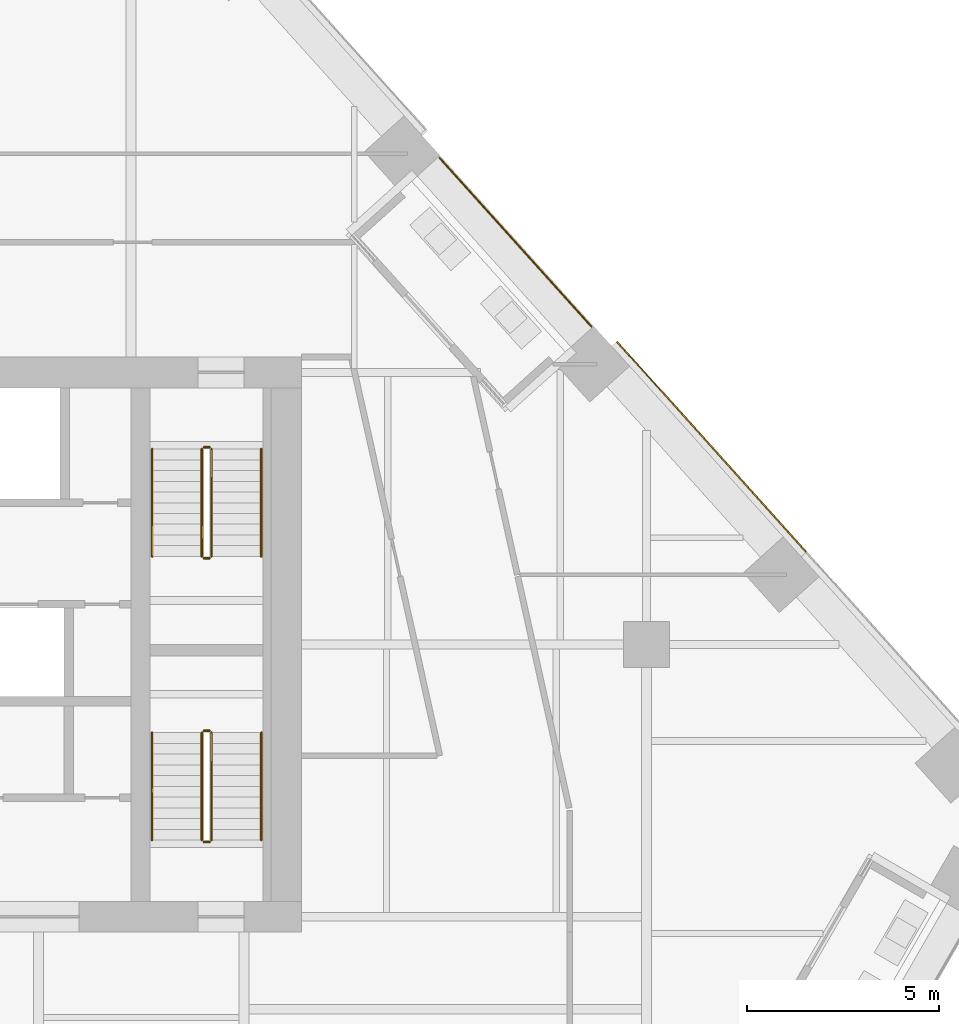
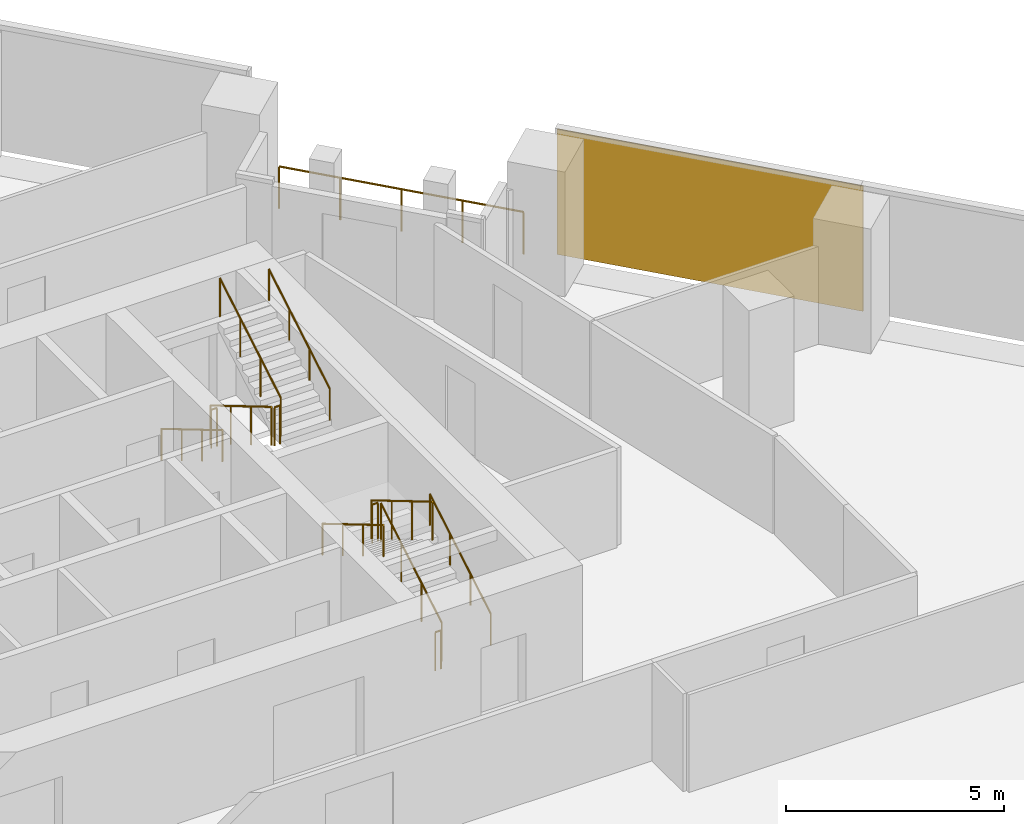
# One storey, part 25 of 26: 13 railings, 1 covering, 1 element without a shape of its own.
"""IFC4 building model written with IfcOpenShell, lengths in metres."""

from ifc_helpers import new_model, si_unit, direction, frame, origin, origin_2d, place, context, subcontext, project, spatial, rectangle, circle, extrude, material, layer, layer_set, type_object, element, aggregate, save


model = new_model("IFC4")

# Units and contexts
model_context = context("Model", 3, precision=1e-05, world=origin(), true_north=direction((0.0, 1.0)))
body_context = subcontext(model_context, "Body", "Model", "MODEL_VIEW")
ifc_project = project(units=[si_unit("LENGTHUNIT", "METRE"), si_unit("AREAUNIT", "SQUARE_METRE"), si_unit("VOLUMEUNIT", "CUBIC_METRE"), si_unit("PLANEANGLEUNIT", "RADIAN"), si_unit("MASSUNIT", "GRAM", prefix="KILO")], contexts=[model_context])

# Site, building, storey
site_placement = place(None, origin())
site = spatial("IfcSite", under=ifc_project, at=site_placement, CompositionType="ELEMENT")
building_placement = place(site_placement, origin())
building = spatial("IfcBuilding", under=site, at=building_placement, Name="Isthmus Gate Tower", CompositionType="ELEMENT")
storey_placement = place(building_placement, frame((0.0, 0.0, 144.39990234375)))
storey = spatial("IfcBuildingStorey", under=building, at=storey_placement, Name="L35", CompositionType="ELEMENT", Elevation=144.39990234375)

# Curtain wall, covering
ifc_material_1 = material(Name="Aluminium, pale champagne anodised", Category="aluminium")
ifc_layer_1 = layer(ifc_material_1, 0.199951171875)
ifc_layer_set_1 = layer_set([ifc_layer_1], Name="CW-1 UNITISED CURTAIN WALL 200 DEEP")
curtain_wall_type = type_object("IfcCurtainWallType", Name="CW-1 UNITISED CURTAIN WALL 200 DEEP", PredefinedType="NOTDEFINED", material=ifc_layer_set_1)
curtain_wall_placement = place(storey_placement, origin())
curtain_wall = element("IfcCurtainWall", 1, at=curtain_wall_placement, inside=storey, type_object=curtain_wall_type, Name="CW-1 NE L35", PredefinedType="NOTDEFINED")
ifc_material_2 = material(Name="Aluminium composite panel, pale champagne anodised", Category="aluminium")
ifc_layer_2 = layer(ifc_material_2, 0.035888671875)
ifc_layer_set_2 = layer_set([ifc_layer_2], Name="CW-1 PALE METAL PANEL 36")
covering_type = type_object("IfcCoveringType", Name="CW-1 PALE METAL PANEL 36", PredefinedType="CLADDING", material=ifc_layer_set_2)
covering_placement = place(storey_placement, frame((25.70068359375, 12.659423828125, 0.0), z_axis=(0.0, 0.0, 1.0), x_axis=(-0.669130606359, 0.743144825477, 0.0)))
covering = element("IfcCovering", 2, at=covering_placement, type_object=covering_type, Name="CW-1 pale metal panel", PredefinedType="CLADDING", context=body_context, shape_type="SweptSolid", body=[
    extrude(rectangle(XDim=7.390869140625, YDim=0.035888671875, at=origin_2d()), origin(), (0.0, 0.0, 1.0), 3.510009765625),
])
aggregate(curtain_wall, [covering])

# Railings
ifc_material_3 = material(Name="Toughened laminated glass with stainless steel posts", Category="steel")
railing_type_1 = type_object("IfcRailingType", Name="GUARD 1200 FRAMELESS GLASS", PredefinedType="GUARDRAIL", material=ifc_material_3)
railing_1_placement = place(storey_placement, frame((22.560302734375, 15.800537109375, 0.0)))
element("IfcRailing", 3, at=railing_1_placement, inside=storey, type_object=railing_type_1, Name="LOGGIA GUARD", PredefinedType="GUARDRAIL", context=body_context, shape_type="SweptSolid", body=[
    extrude(circle(Radius=0.02490234375, at=origin_2d()), frame((0.0, 0.0, 1.1748046875), z_axis=(-0.669129019519, 0.743146254271, 0.0), x_axis=(-0.743146254271, -0.669129019519, 0.0)), (0.0, 0.0, 1.0), 5.910888671875),
    extrude(circle(Radius=0.02490234375, at=origin_2d()), origin(), (0.0, 0.0, 1.0), 1.14990234375),
    extrude(circle(Radius=0.02490234375, at=origin_2d()), frame((-0.98876953125, 1.09814453125, 0.0)), (0.0, 0.0, 1.0), 1.14990234375),
    extrude(circle(Radius=0.02490234375, at=origin_2d()), frame((-1.9775390625, 2.1962890625, 0.0)), (0.0, 0.0, 1.0), 1.14990234375),
    extrude(circle(Radius=0.02490234375, at=origin_2d()), frame((-2.96630859375, 3.29443359375, 0.0)), (0.0, 0.0, 1.0), 1.14990234375),
    extrude(circle(Radius=0.02490234375, at=origin_2d()), frame((-3.955078125, 4.392578125, 0.0)), (0.0, 0.0, 1.0), 1.14990234375),
])
ifc_material_4 = material(Name="Stainless steel balustrade", Category="steel")
railing_type_2 = type_object("IfcRailingType", Name="STAIR GUARD 1100", PredefinedType="GUARDRAIL", material=ifc_material_4)
railing_2_placement = place(storey_placement, frame((12.39990234375, 12.60009765625, 0.166015625)))
element("IfcRailing", 4, at=railing_2_placement, inside=storey, type_object=railing_type_2, Name="L35 ST2 stair guard 1", PredefinedType="GUARDRAIL", context=body_context, shape_type="SweptSolid", body=[
    extrude(circle(Radius=0.02392578125, at=origin_2d()), frame((0.0, 0.0, 1.076171875), z_axis=(0.0, -0.860306154799, 0.50977771628), x_axis=(1.0, 0.0, 0.0)), (0.0, 0.0, 1.0), 3.254638671875),
    extrude(circle(Radius=0.02099609375, at=origin_2d()), origin(), (0.0, 0.0, 1.0), 1.052001953125),
    extrude(circle(Radius=0.02099609375, at=origin_2d()), frame((0.0, -0.933349609375, 0.552978515625)), (0.0, 0.0, 1.0), 1.052001953125),
    extrude(circle(Radius=0.02099609375, at=origin_2d()), frame((0.0, -1.86669921875, 1.106201171875)), (0.0, 0.0, 1.0), 1.052001953125),
    extrude(circle(Radius=0.02099609375, at=origin_2d()), frame((0.0, -2.800048828125, 1.6591796875)), (0.0, 0.0, 1.0), 1.052001953125),
])
railing_3_placement = place(storey_placement, frame((12.449951171875, 9.75, 1.8251953125)))
element("IfcRailing", 5, at=railing_3_placement, inside=storey, type_object=railing_type_2, Name="L35 ST2 stair guard 2", PredefinedType="GUARDRAIL", context=body_context, shape_type="SweptSolid", body=[
    extrude(circle(Radius=0.02392578125, at=origin_2d()), frame((0.0, 0.0, 1.076171875), z_axis=(1.0, 0.0, 0.0), x_axis=(0.0, 1.0, 0.0)), (0.0, 0.0, 1.0), 0.150146484375),
    extrude(circle(Radius=0.02099609375, at=origin_2d()), origin(), (0.0, 0.0, 1.0), 1.052001953125),
    extrude(circle(Radius=0.02099609375, at=origin_2d()), frame((0.150146484375, 0.0, 0.0)), (0.0, 0.0, 1.0), 1.052001953125),
])
railing_4_placement = place(storey_placement, frame((12.64990234375, 9.800048828125, 1.990966796875)))
element("IfcRailing", 6, at=railing_4_placement, inside=storey, type_object=railing_type_2, Name="L35 ST2 stair guard 3", PredefinedType="GUARDRAIL", context=body_context, shape_type="SweptSolid", body=[
    extrude(circle(Radius=0.02392578125, at=origin_2d()), frame((0.0, 0.0, 1.076171875), z_axis=(0.0, 0.860306154799, 0.50977771628), x_axis=(-1.0, 0.0, 0.0)), (0.0, 0.0, 1.0), 3.254638671875),
    extrude(circle(Radius=0.02099609375, at=origin_2d()), origin(), (0.0, 0.0, 1.0), 1.052001953125),
    extrude(circle(Radius=0.02099609375, at=origin_2d()), frame((0.0, 0.933349609375, 0.552978515625)), (0.0, 0.0, 1.0), 1.052001953125),
    extrude(circle(Radius=0.02099609375, at=origin_2d()), frame((0.0, 1.86669921875, 1.106201171875)), (0.0, 0.0, 1.0), 1.052001953125),
    extrude(circle(Radius=0.02099609375, at=origin_2d()), frame((0.0, 2.800048828125, 1.6591796875)), (0.0, 0.0, 1.0), 1.052001953125),
])
railing_5_placement = place(storey_placement, frame((12.449951171875, 12.64990234375, 0.0)))
element("IfcRailing", 7, at=railing_5_placement, inside=storey, type_object=railing_type_2, Name="L35 ST2 stair guard 4", PredefinedType="GUARDRAIL", context=body_context, shape_type="SweptSolid", body=[
    extrude(circle(Radius=0.02392578125, at=origin_2d()), frame((0.0, 0.0, 1.076171875), z_axis=(1.0, 0.0, 0.0), x_axis=(0.0, 1.0, 0.0)), (0.0, 0.0, 1.0), 0.150146484375),
    extrude(circle(Radius=0.02099609375, at=origin_2d()), origin(), (0.0, 0.0, 1.0), 1.052001953125),
    extrude(circle(Radius=0.02099609375, at=origin_2d()), frame((0.150146484375, 0.0, 0.0)), (0.0, 0.0, 1.0), 1.052001953125),
])
railing_6_placement = place(storey_placement, frame((12.64990234375, 2.39990234375, 0.166015625)))
element("IfcRailing", 8, at=railing_6_placement, inside=storey, type_object=railing_type_2, Name="L35 ST8 stair guard 1", PredefinedType="GUARDRAIL", context=body_context, shape_type="SweptSolid", body=[
    extrude(circle(Radius=0.02392578125, at=origin_2d()), frame((0.0, 0.0, 1.076171875), z_axis=(0.0, 0.860306154799, 0.50977771628), x_axis=(-1.0, 0.0, 0.0)), (0.0, 0.0, 1.0), 3.254638671875),
    extrude(circle(Radius=0.02099609375, at=origin_2d()), origin(), (0.0, 0.0, 1.0), 1.052001953125),
    extrude(circle(Radius=0.02099609375, at=origin_2d()), frame((0.0, 0.933349609375, 0.552978515625)), (0.0, 0.0, 1.0), 1.052001953125),
    extrude(circle(Radius=0.02099609375, at=origin_2d()), frame((0.0, 1.86669921875, 1.106201171875)), (0.0, 0.0, 1.0), 1.052001953125),
    extrude(circle(Radius=0.02099609375, at=origin_2d()), frame((0.0, 2.800048828125, 1.6591796875)), (0.0, 0.0, 1.0), 1.052001953125),
])
railing_7_placement = place(storey_placement, frame((12.60009765625, 5.25, 1.8251953125)))
element("IfcRailing", 9, at=railing_7_placement, inside=storey, type_object=railing_type_2, Name="L35 ST8 stair guard 2", PredefinedType="GUARDRAIL", context=body_context, shape_type="SweptSolid", body=[
    extrude(circle(Radius=0.02392578125, at=origin_2d()), frame((0.0, 0.0, 1.076171875), z_axis=(-1.0, 0.0, 0.0), x_axis=(0.0, -1.0, 0.0)), (0.0, 0.0, 1.0), 0.150146484375),
    extrude(circle(Radius=0.02099609375, at=origin_2d()), origin(), (0.0, 0.0, 1.0), 1.052001953125),
    extrude(circle(Radius=0.02099609375, at=origin_2d()), frame((-0.150146484375, 0.0, 0.0)), (0.0, 0.0, 1.0), 1.052001953125),
])
railing_8_placement = place(storey_placement, frame((12.39990234375, 5.199951171875, 1.990966796875)))
element("IfcRailing", 10, at=railing_8_placement, inside=storey, type_object=railing_type_2, Name="L35 ST8 stair guard 3", PredefinedType="GUARDRAIL", context=body_context, shape_type="SweptSolid", body=[
    extrude(circle(Radius=0.02392578125, at=origin_2d()), frame((0.0, 0.0, 1.076171875), z_axis=(0.0, -0.860306154799, 0.50977771628), x_axis=(1.0, 0.0, 0.0)), (0.0, 0.0, 1.0), 3.254638671875),
    extrude(circle(Radius=0.02099609375, at=origin_2d()), origin(), (0.0, 0.0, 1.0), 1.052001953125),
    extrude(circle(Radius=0.02099609375, at=origin_2d()), frame((0.0, -0.933349609375, 0.552978515625)), (0.0, 0.0, 1.0), 1.052001953125),
    extrude(circle(Radius=0.02099609375, at=origin_2d()), frame((0.0, -1.86669921875, 1.106201171875)), (0.0, 0.0, 1.0), 1.052001953125),
    extrude(circle(Radius=0.02099609375, at=origin_2d()), frame((0.0, -2.800048828125, 1.6591796875)), (0.0, 0.0, 1.0), 1.052001953125),
])
railing_9_placement = place(storey_placement, frame((12.60009765625, 2.35009765625, 0.0)))
element("IfcRailing", 11, at=railing_9_placement, inside=storey, type_object=railing_type_2, Name="L35 ST8 stair guard 4", PredefinedType="GUARDRAIL", context=body_context, shape_type="SweptSolid", body=[
    extrude(circle(Radius=0.02392578125, at=origin_2d()), frame((0.0, 0.0, 1.076171875), z_axis=(-1.0, 0.0, 0.0), x_axis=(0.0, -1.0, 0.0)), (0.0, 0.0, 1.0), 0.150146484375),
    extrude(circle(Radius=0.02099609375, at=origin_2d()), origin(), (0.0, 0.0, 1.0), 1.052001953125),
    extrude(circle(Radius=0.02099609375, at=origin_2d()), frame((-0.150146484375, 0.0, 0.0)), (0.0, 0.0, 1.0), 1.052001953125),
])
ifc_material_5 = material(Name="Stainless steel handrail", Category="steel")
railing_type_3 = type_object("IfcRailingType", Name="STAIR HANDRAIL 900", PredefinedType="HANDRAIL", material=ifc_material_5)
railing_10_placement = place(storey_placement, frame((11.10009765625, 12.60009765625, 0.166015625)))
element("IfcRailing", 12, at=railing_10_placement, inside=storey, type_object=railing_type_3, Name="L35 ST2 stair handrail 1", PredefinedType="HANDRAIL", context=body_context, shape_type="SweptSolid", body=[
    extrude(circle(Radius=0.02392578125, at=origin_2d()), frame((0.0, 0.0, 0.8759765625), z_axis=(0.0, -0.860306154799, 0.50977771628), x_axis=(1.0, 0.0, 0.0)), (0.0, 0.0, 1.0), 3.254638671875),
    extrude(circle(Radius=0.02099609375, at=origin_2d()), origin(), (0.0, 0.0, 1.0), 0.851806640625),
    extrude(circle(Radius=0.02099609375, at=origin_2d()), frame((0.0, -0.933349609375, 0.552978515625)), (0.0, 0.0, 1.0), 0.851806640625),
    extrude(circle(Radius=0.02099609375, at=origin_2d()), frame((0.0, -1.86669921875, 1.106201171875)), (0.0, 0.0, 1.0), 0.851806640625),
    extrude(circle(Radius=0.02099609375, at=origin_2d()), frame((0.0, -2.800048828125, 1.6591796875)), (0.0, 0.0, 1.0), 0.851806640625),
])
for number, where, name in (
    (13, (13.949951171875, 9.800048828125, 1.990966796875), "L35 ST2 stair handrail 2"),
    (14, (13.949951171875, 2.39990234375, 0.166015625), "L35 ST8 stair handrail 1"),
):
    element("IfcRailing", number, at=place(storey_placement, frame(where)), inside=storey, type_object=railing_type_3, Name=name, PredefinedType="HANDRAIL", context=body_context, shape_type="SweptSolid", body=[
        extrude(circle(Radius=0.02392578125, at=origin_2d()), frame((0.0, 0.0, 0.8759765625), z_axis=(0.0, 0.860306154799, 0.50977771628), x_axis=(-1.0, 0.0, 0.0)), (0.0, 0.0, 1.0), 3.254638671875),
        extrude(circle(Radius=0.02099609375, at=origin_2d()), origin(), (0.0, 0.0, 1.0), 0.851806640625),
        extrude(circle(Radius=0.02099609375, at=origin_2d()), frame((0.0, 0.933349609375, 0.552978515625)), (0.0, 0.0, 1.0), 0.851806640625),
        extrude(circle(Radius=0.02099609375, at=origin_2d()), frame((0.0, 1.86669921875, 1.106201171875)), (0.0, 0.0, 1.0), 0.851806640625),
        extrude(circle(Radius=0.02099609375, at=origin_2d()), frame((0.0, 2.800048828125, 1.6591796875)), (0.0, 0.0, 1.0), 0.851806640625),
    ])
railing_11_placement = place(storey_placement, frame((11.10009765625, 5.199951171875, 1.990966796875)))
element("IfcRailing", 15, at=railing_11_placement, inside=storey, type_object=railing_type_3, Name="L35 ST8 stair handrail 2", PredefinedType="HANDRAIL", context=body_context, shape_type="SweptSolid", body=[
    extrude(circle(Radius=0.02392578125, at=origin_2d()), frame((0.0, 0.0, 0.8759765625), z_axis=(0.0, -0.860306154799, 0.50977771628), x_axis=(1.0, 0.0, 0.0)), (0.0, 0.0, 1.0), 3.254638671875),
    extrude(circle(Radius=0.02099609375, at=origin_2d()), origin(), (0.0, 0.0, 1.0), 0.851806640625),
    extrude(circle(Radius=0.02099609375, at=origin_2d()), frame((0.0, -0.933349609375, 0.552978515625)), (0.0, 0.0, 1.0), 0.851806640625),
    extrude(circle(Radius=0.02099609375, at=origin_2d()), frame((0.0, -1.86669921875, 1.106201171875)), (0.0, 0.0, 1.0), 0.851806640625),
    extrude(circle(Radius=0.02099609375, at=origin_2d()), frame((0.0, -2.800048828125, 1.6591796875)), (0.0, 0.0, 1.0), 0.851806640625),
])

save(model, "model.ifc")
